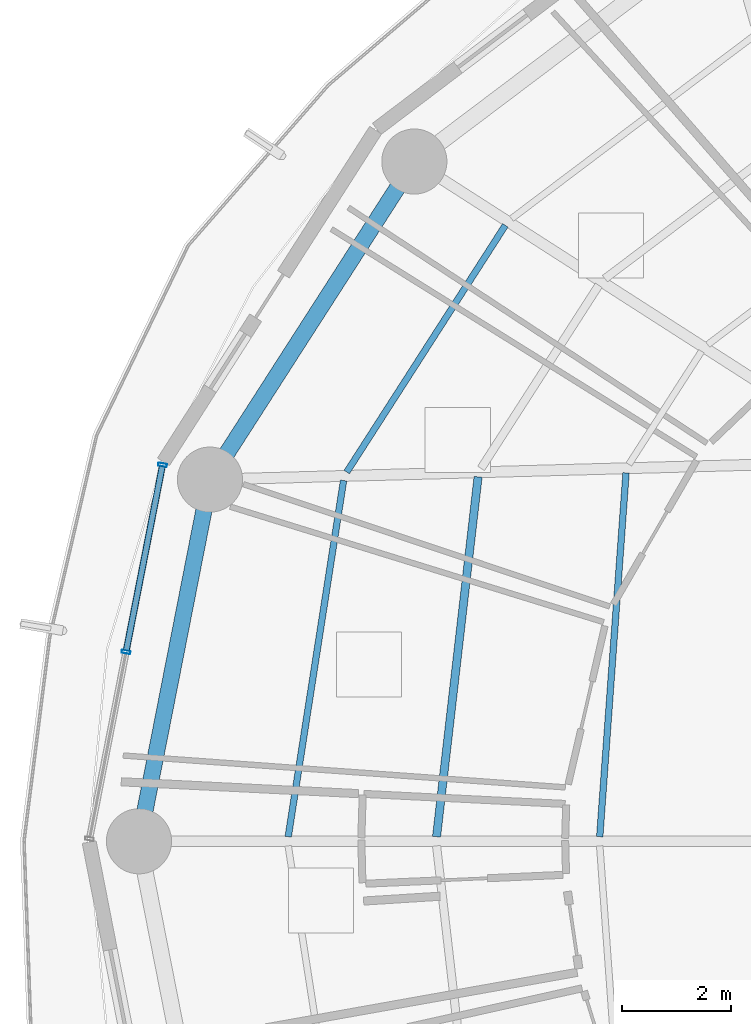
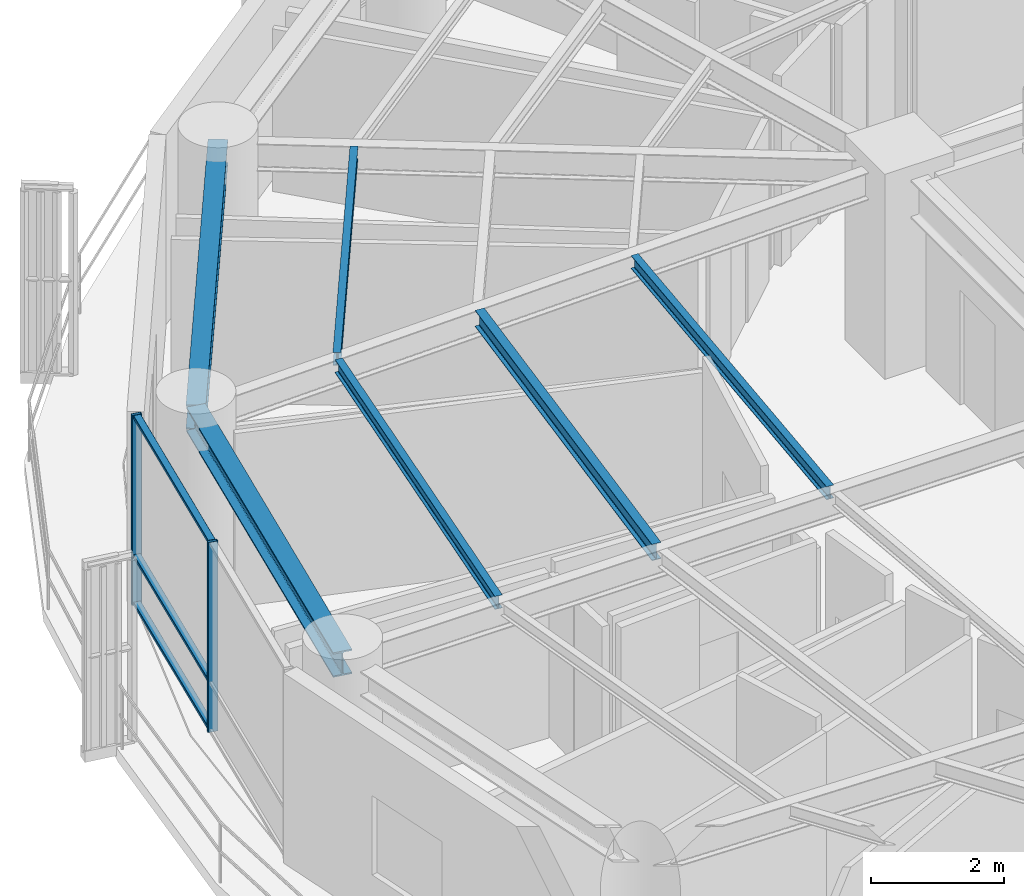
# One storey, part 8 of 28: 6 beams, 5 members, 1 element without a shape of its own.
"""IFC4 building model written with IfcOpenShell, lengths in metres."""

from ifc_helpers import new_model, si_unit, direction, frame, origin, origin_2d, place, context, subcontext, project, spatial, hollow_rectangle, i_section, extrude, material, layer, layer_set, material_profile, profile_set, type_object, element, aggregate, save


model = new_model("IFC4")

# Units and contexts
model_context = context("Model", 3, precision=1e-05, world=origin(), true_north=direction((0.0, 1.0)))
body_context = subcontext(model_context, "Body", "Model", "MODEL_VIEW")
ifc_project = project(units=[si_unit("LENGTHUNIT", "METRE"), si_unit("AREAUNIT", "SQUARE_METRE"), si_unit("VOLUMEUNIT", "CUBIC_METRE"), si_unit("PLANEANGLEUNIT", "RADIAN"), si_unit("MASSUNIT", "GRAM", prefix="KILO")], contexts=[model_context])

# Site, building, storey
site_placement = place(None, origin())
site = spatial("IfcSite", under=ifc_project, at=site_placement, CompositionType="ELEMENT")
building_placement = place(site_placement, origin())
building = spatial("IfcBuilding", under=site, at=building_placement, Name="Kelanora Arch Commons", CompositionType="ELEMENT")
storey_placement = place(building_placement, frame((0.0, 0.0, 180.60009765625)))
storey = spatial("IfcBuildingStorey", under=building, at=storey_placement, Name="L46", CompositionType="ELEMENT", Elevation=180.60009765625)

# Beams
ifc_material_1 = material(Name="Steel S355", Category="steel")
ifc_material_profile_1 = material_profile(ifc_material_1, i_section(OverallWidth=0.14990234375, OverallDepth=0.300048828125, WebThickness=0.007080078125, FlangeThickness=0.0107421875, FilletRadius=0.014892578125, at=origin_2d()), Name="IPE300")
ifc_profile_set_1 = profile_set([ifc_material_profile_1], Name="Steel S355")
beam_type_1 = type_object("IfcBeamType", Name="BM-JST-01", PredefinedType="JOIST", material=ifc_profile_set_1)
beam_1_placement = place(storey_placement, frame((58.56689453125, 64.713134765625, 3.33984375), z_axis=(-0.114667159005, -0.9934039675, 0.0), x_axis=(0.9934039675, -0.114667159005, 0.0)))
element("IfcBeam", 1, at=beam_1_placement, inside=storey, type_object=beam_type_1, Name="Secondary Chord Joist BJB-16 L46", PredefinedType="JOIST", context=body_context, shape_type="SweptSolid", body=[
    extrude(i_section(OverallWidth=0.14990234375, OverallDepth=0.300048828125, WebThickness=0.007080078125, FlangeThickness=0.0107421875, FilletRadius=0.014892578125, at=origin_2d()), origin(), (0.0, 0.0, 1.0), 6.672607421875),
])
ifc_material_profile_2 = material_profile(ifc_material_1, i_section(OverallWidth=0.1201171875, OverallDepth=0.239990234375, WebThickness=0.006103515625, FlangeThickness=0.009765625, FilletRadius=0.014892578125, at=origin_2d()), Name="IPE240")
ifc_profile_set_2 = profile_set([ifc_material_profile_2], Name="Steel S355")
beam_type_2 = type_object("IfcBeamType", Name="BM-JST-02", PredefinedType="JOIST", material=ifc_profile_set_2)
beam_2_placement = place(storey_placement, frame((59.06787109375, 69.345703125, 3.369873046875), z_axis=(-0.540581678156, -0.841291536414, 0.0), x_axis=(0.841291536414, -0.540581678156, 0.0)))
element("IfcBeam", 2, at=beam_2_placement, inside=storey, type_object=beam_type_2, Name="Secondary Chord Joist BJC-14 L46", PredefinedType="JOIST", context=body_context, shape_type="SweptSolid", body=[
    extrude(i_section(OverallWidth=0.1201171875, OverallDepth=0.239990234375, WebThickness=0.006103515625, FlangeThickness=0.009765625, FilletRadius=0.014892578125, at=origin_2d()), origin(), (0.0, 0.0, 1.0), 5.4013671875),
])
beam_3_placement = place(storey_placement, frame((61.292236328125, 64.787109375, 3.369873046875), z_axis=(-0.072117123738, -0.997396170267, 0.0), x_axis=(0.997396170267, -0.072117123738, 0.0)))
element("IfcBeam", 3, at=beam_3_placement, inside=storey, type_object=beam_type_2, Name="Secondary Chord Joist BJA-16 L46", PredefinedType="JOIST", context=body_context, shape_type="SweptSolid", body=[
    extrude(i_section(OverallWidth=0.1201171875, OverallDepth=0.239990234375, WebThickness=0.006103515625, FlangeThickness=0.009765625, FilletRadius=0.014892578125, at=origin_2d()), origin(), (0.0, 0.0, 1.0), 6.719970703125),
])
beam_4_placement = place(storey_placement, frame((56.0888671875, 64.64599609375, 3.369873046875), z_axis=(-0.153562625853, -0.988138917329, 0.0), x_axis=(0.988138917329, -0.153562625853, 0.0)))
element("IfcBeam", 4, at=beam_4_placement, inside=storey, type_object=beam_type_2, Name="Secondary Chord Joist BJC-16 L46", PredefinedType="JOIST", context=body_context, shape_type="SweptSolid", body=[
    extrude(i_section(OverallWidth=0.1201171875, OverallDepth=0.239990234375, WebThickness=0.006103515625, FlangeThickness=0.009765625, FilletRadius=0.014892578125, at=origin_2d()), origin(), (0.0, 0.0, 1.0), 6.640869140625),
])
ifc_material_profile_3 = material_profile(ifc_material_1, i_section(OverallWidth=0.300048828125, OverallDepth=0.449951171875, WebThickness=0.013916015625, FlangeThickness=0.02587890625, FilletRadius=0.027099609375, at=origin_2d()), Name="HEB450")
ifc_profile_set_3 = profile_set([ifc_material_profile_3], Name="Steel S355")
beam_type_3 = type_object("IfcBeamType", Name="BM-SPN-Z3", PredefinedType="SPANDREL", material=ifc_profile_set_3)
beam_5_placement = place(storey_placement, frame((57.39208984375, 70.521484375, 3.264892578125), z_axis=(-0.540576852469, -0.841294637196, 0.0), x_axis=(0.841294637196, -0.540576852469, 0.0)))
element("IfcBeam", 5, at=beam_5_placement, inside=storey, type_object=beam_type_3, Name="Perimeter Spandrel Beam BS-14 L46", PredefinedType="SPANDREL", context=body_context, shape_type="SweptSolid", body=[
    extrude(i_section(OverallWidth=0.300048828125, OverallDepth=0.449951171875, WebThickness=0.013916015625, FlangeThickness=0.02587890625, FilletRadius=0.027099609375, at=origin_2d()), origin(), (0.0, 0.0, 1.0), 6.964111328125),
])
beam_6_placement = place(storey_placement, frame((53.62744140625, 64.66259765625, 3.264892578125), z_axis=(-0.192553643556, -0.981286448675, 0.0), x_axis=(0.981286448675, -0.192553643556, 0.0)))
element("IfcBeam", 6, at=beam_6_placement, inside=storey, type_object=beam_type_3, Name="Perimeter Spandrel Beam BS-16 L46", PredefinedType="SPANDREL", context=body_context, shape_type="SweptSolid", body=[
    extrude(i_section(OverallWidth=0.300048828125, OverallDepth=0.449951171875, WebThickness=0.013916015625, FlangeThickness=0.02587890625, FilletRadius=0.027099609375, at=origin_2d()), origin(), (0.0, 0.0, 1.0), 6.78955078125),
])

# Curtain wall, members
ifc_material_2 = material(Name="Terracotta ceramic-fritted low-E glass and aluminium", Category="masonry")
ifc_layer = layer(ifc_material_2, 0.175048828125)
ifc_layer_set = layer_set([ifc_layer], Name="Terracotta ceramic-fritted low-E glass and aluminium")
curtain_wall_type = type_object("IfcCurtainWallType", Name="CW-SYS-02", PredefinedType="NOTDEFINED", material=ifc_layer_set)
curtain_wall_placement = place(storey_placement, origin())
curtain_wall = element("IfcCurtainWall", 7, at=curtain_wall_placement, inside=storey, type_object=curtain_wall_type, Name="Unitised Curtain Wall L46-B08", PredefinedType="NOTDEFINED")
ifc_material_3 = material(Name="Powder-coated aluminium terracotta", Category="masonry")
ifc_material_profile_4 = material_profile(ifc_material_3, hollow_rectangle(XDim=0.159912109375, YDim=0.06005859375, WallThickness=0.0048828125, InnerFilletRadius=0.0048828125, OuterFilletRadius=0.010009765625, at=origin_2d()), Name="CWM160x60")
ifc_profile_set_4 = profile_set([ifc_material_profile_4], Name="Powder-coated aluminium terracotta")
member_type_1 = type_object("IfcMemberType", Name="CWM-STD", PredefinedType="MULLION", material=ifc_profile_set_4)
member_1_placement = place(storey_placement, frame((52.754150390625, 64.93310546875, 0.0), z_axis=(0.0, 0.0, 1.0), x_axis=(0.981452557718, -0.191705182375, 0.0)))
member_1 = element("IfcMember", 8, at=member_1_placement, type_object=member_type_1, Name="CW-02 mullion 1", PredefinedType="MULLION", context=body_context, shape_type="SweptSolid", body=[
    extrude(hollow_rectangle(XDim=0.159912109375, YDim=0.06005859375, WallThickness=0.0048828125, InnerFilletRadius=0.0048828125, OuterFilletRadius=0.010009765625, at=origin_2d()), origin(), (0.0, 0.0, 1.0), 3.474853515625),
])
member_2_placement = place(storey_placement, frame((52.08154296875, 61.488525390625, 0.0), z_axis=(0.0, 0.0, 1.0), x_axis=(0.981452557718, -0.191705182375, 0.0)))
member_2 = element("IfcMember", 9, at=member_2_placement, type_object=member_type_1, Name="CW-02 mullion 2", PredefinedType="MULLION", context=body_context, shape_type="SweptSolid", body=[
    extrude(hollow_rectangle(XDim=0.159912109375, YDim=0.06005859375, WallThickness=0.0048828125, InnerFilletRadius=0.0048828125, OuterFilletRadius=0.010009765625, at=origin_2d()), origin(), (0.0, 0.0, 1.0), 3.474853515625),
])
ifc_material_profile_5 = material_profile(ifc_material_3, hollow_rectangle(XDim=0.1201171875, YDim=0.06005859375, WallThickness=0.0048828125, InnerFilletRadius=0.0048828125, OuterFilletRadius=0.010009765625, at=origin_2d()), Name="CWT120x60")
ifc_profile_set_5 = profile_set([ifc_material_profile_5], Name="Powder-coated aluminium terracotta")
member_type_2 = type_object("IfcMemberType", Name="CWT-STD", PredefinedType="USERDEFINED", material=ifc_profile_set_5)
member_3_placement = place(storey_placement, frame((52.74853515625, 64.903564453125, 0.02978515625), z_axis=(-0.191731523726, -0.981447412147, 0.0), x_axis=(0.981447412147, -0.191731523726, 0.0)))
member_3 = element("IfcMember", 10, at=member_3_placement, type_object=member_type_2, Name="CW-02 transom 1.1", ObjectType="TRANSOM", PredefinedType="USERDEFINED", context=body_context, shape_type="SweptSolid", body=[
    extrude(hollow_rectangle(XDim=0.1201171875, YDim=0.06005859375, WallThickness=0.0048828125, InnerFilletRadius=0.0048828125, OuterFilletRadius=0.010009765625, at=origin_2d()), origin(), (0.0, 0.0, 1.0), 3.449462890625),
])
member_4_placement = place(storey_placement, frame((52.74853515625, 64.903564453125, 0.89990234375), z_axis=(-0.191731523726, -0.981447412147, 0.0), x_axis=(0.981447412147, -0.191731523726, 0.0)))
member_4 = element("IfcMember", 11, at=member_4_placement, type_object=member_type_2, Name="CW-02 transom 1.2", ObjectType="TRANSOM", PredefinedType="USERDEFINED", context=body_context, shape_type="SweptSolid", body=[
    extrude(hollow_rectangle(XDim=0.1201171875, YDim=0.06005859375, WallThickness=0.0048828125, InnerFilletRadius=0.0048828125, OuterFilletRadius=0.010009765625, at=origin_2d()), origin(), (0.0, 0.0, 1.0), 3.449462890625),
])
member_5_placement = place(storey_placement, frame((52.74853515625, 64.903564453125, 3.44482421875), z_axis=(-0.191731523726, -0.981447412147, 0.0), x_axis=(0.981447412147, -0.191731523726, 0.0)))
member_5 = element("IfcMember", 12, at=member_5_placement, type_object=member_type_2, Name="CW-02 transom 1.3", ObjectType="TRANSOM", PredefinedType="USERDEFINED", context=body_context, shape_type="SweptSolid", body=[
    extrude(hollow_rectangle(XDim=0.1201171875, YDim=0.06005859375, WallThickness=0.0048828125, InnerFilletRadius=0.0048828125, OuterFilletRadius=0.010009765625, at=origin_2d()), origin(), (0.0, 0.0, 1.0), 3.449462890625),
])
aggregate(curtain_wall, [member_1, member_2, member_3, member_4, member_5])

save(model, "model.ifc")
